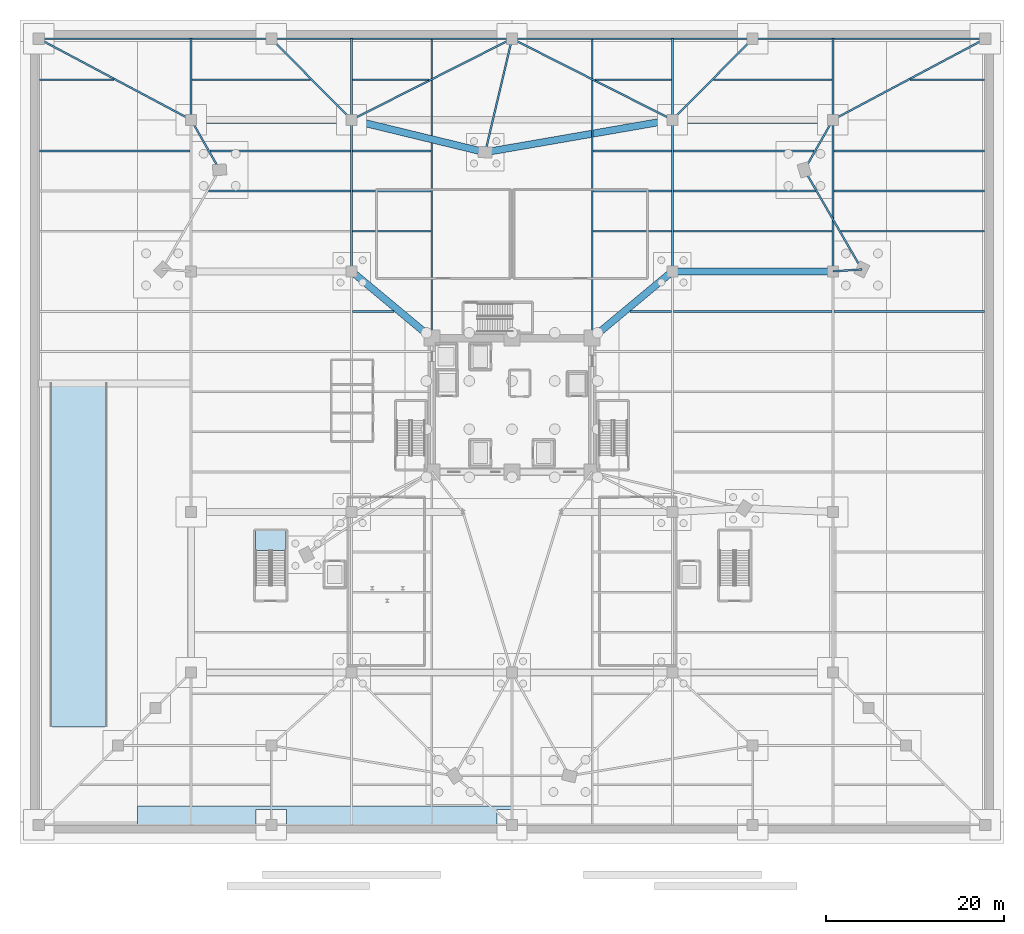
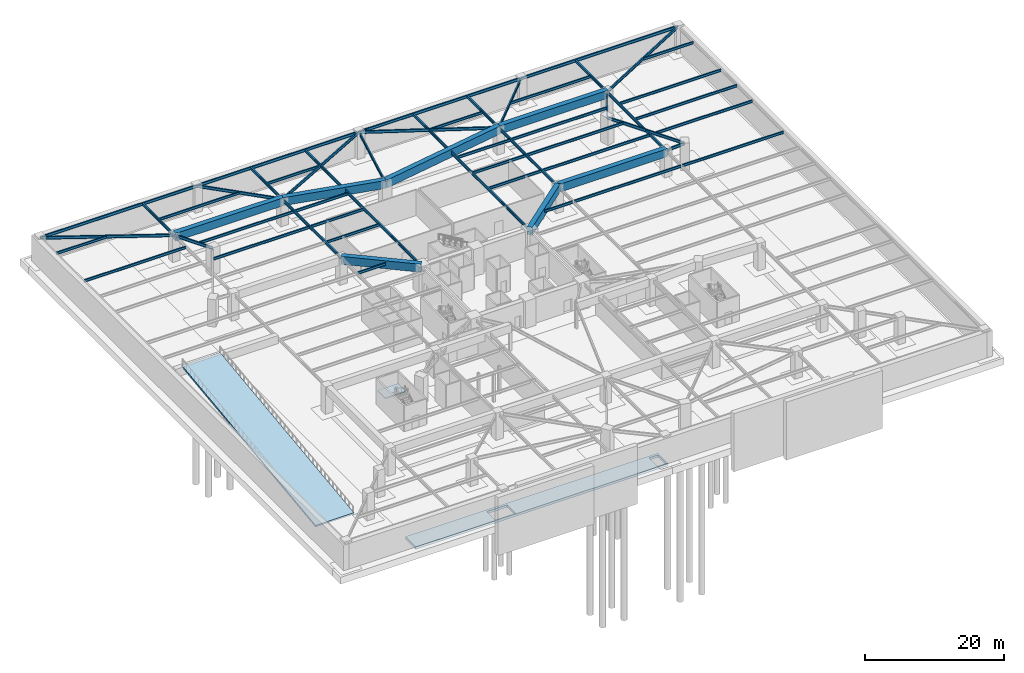
# One storey, part 6 of 19: 56 beams, 3 slabs, 1 element without a shape of its own.
"""IFC4 building model written with IfcOpenShell, lengths in metres."""

import ifcopenshell
import ifcopenshell.guid

model = None  # the IFC model being written
_history = None  # IfcOwnerHistory: only IFC2X3 demands one
_inside = {}  # id of a spatial element -> (the spatial element, [elements in it])
_under = {}  # id of a project, library or spatial element -> (it, [spatial elements below it])
_declared = {}  # id of a project -> (the project, [libraries it declares])
_typed = {}  # id of a type object -> (the type object, [elements of that type])
_made_of = {}  # id of a material, layer set ... -> (it, [elements and type objects made of it])


def new_model(schema):
    """Start an empty IFC model of exactly this schema.

    Asked for "IFC4X3", IfcOpenShell would pick the latest addendum, in which some entities
    have other attributes; the version numbers below select the first issue.
    IFC2X3 requires an IfcOwnerHistory on every rooted entity: one is made here for all.
    """
    global model, _history
    if schema == "IFC4X3":
        model = ifcopenshell.file(schema_version=(4, 3, 0, 0))
    else:
        model = ifcopenshell.file(schema=schema)
    _inside.clear()
    _under.clear()
    _declared.clear()
    _typed.clear()
    _made_of.clear()
    _history = None
    if model.schema == "IFC2X3":
        org = make("IfcOrganization", Name="unknown")
        user = make(
            "IfcPersonAndOrganization",
            ThePerson=make("IfcPerson", FamilyName="unknown"),
            TheOrganization=org,
        )
        app = make(
            "IfcApplication",
            ApplicationDeveloper=org,
            Version="unknown",
            ApplicationFullName="unknown",
            ApplicationIdentifier="unknown",
        )
        _history = make(
            "IfcOwnerHistory",
            OwningUser=user,
            OwningApplication=app,
            ChangeAction="ADDED",
            CreationDate=0,
        )
    return model


def make(cls, **values):
    """One entity of the class cls with the attributes given. An attribute that is None is left unset."""
    return model.create_entity(
        cls, **{name: value for name, value in values.items() if value is not None}
    )


def rooted(cls, **values):
    """An entity with a GlobalId (a new one), such as an element, a storey or a relation."""
    return make(cls, GlobalId=ifcopenshell.guid.new(), OwnerHistory=_history, **values)


def si_unit(unit_type, name, prefix=None):
    """IfcSIUnit, for example si_unit("LENGTHUNIT", "METRE", prefix="MILLI")."""
    return make("IfcSIUnit", UnitType=unit_type, Prefix=prefix, Name=name)


def assignment(units):
    """IfcUnitAssignment: the units of a project."""
    return None if units is None else make("IfcUnitAssignment", Units=units)


def point(xyz):
    """IfcCartesianPoint."""
    return None if xyz is None else make("IfcCartesianPoint", Coordinates=xyz)


def direction(xyz):
    """IfcDirection."""
    return None if xyz is None else make("IfcDirection", DirectionRatios=xyz)


def frame(location, z_axis=None, x_axis=None):
    """IfcAxis2Placement3D, a coordinate frame: its origin and axes. An axis left out is left unset."""
    return make(
        "IfcAxis2Placement3D",
        Location=point(location),
        Axis=direction(z_axis),
        RefDirection=direction(x_axis),
    )


def frame_2d(location, x_axis=None):
    """IfcAxis2Placement2D, a coordinate frame in the plane: its origin and x axis."""
    return make(
        "IfcAxis2Placement2D", Location=point(location), RefDirection=direction(x_axis)
    )


def origin():
    """The frame at (0, 0, 0) with its axes left unset."""
    return frame((0.0, 0.0, 0.0))


def origin_2d():
    """The frame at (0, 0) in the plane with its x axis left unset."""
    return frame_2d((0.0, 0.0))


def place(relative_to, where):
    """IfcLocalPlacement: puts the frame where relative to a parent placement (None: the world)."""
    return make(
        "IfcLocalPlacement", PlacementRelTo=relative_to, RelativePlacement=where
    )


def context(
    kind, dimensions, precision=None, world=None, true_north=None, identifier=None
):
    """IfcGeometricRepresentationContext, for example the 3D "Model" context."""
    return make(
        "IfcGeometricRepresentationContext",
        ContextIdentifier=identifier,
        ContextType=kind,
        CoordinateSpaceDimension=dimensions,
        Precision=precision,
        WorldCoordinateSystem=world,
        TrueNorth=true_north,
    )


def subcontext(parent, identifier, kind, view, scale=None):
    """IfcGeometricRepresentationSubContext, for example "Body" below "Model"."""
    return make(
        "IfcGeometricRepresentationSubContext",
        ContextIdentifier=identifier,
        ContextType=kind,
        ParentContext=parent,
        TargetScale=scale,
        TargetView=view,
    )


def project(units=None, contexts=None):
    """IfcProject with its units and contexts."""
    return rooted(
        "IfcProject",
        Name="project",
        RepresentationContexts=contexts,
        UnitsInContext=assignment(units),
    )


def spatial(cls, under=None, at=None, **own):
    """A site, building, storey or space (cls), placed at a placement, below another one or the project."""
    s = rooted(cls, ObjectPlacement=at, **own)
    if under is not None:
        _under.setdefault(under.id(), (under, []))[1].append(s)
    return s


def polyline(points):
    """IfcPolyline through the points."""
    return make("IfcPolyline", Points=[point(p) for p in points])


def profile(cls, at=None, kind="AREA", **sizes):
    """A parametric profile (cls). Its sizes go by their IFC names, for example OverallWidth=200.0."""
    return make(cls, ProfileType=kind, Position=at, **sizes)


def rectangle(**sizes):
    """IfcRectangleProfileDef."""
    return profile("IfcRectangleProfileDef", **sizes)


def i_section(**sizes):
    """IfcIShapeProfileDef."""
    return profile("IfcIShapeProfileDef", **sizes)


def outline(outer, holes=None, kind="AREA"):
    """IfcArbitraryClosedProfileDef: a profile drawn as a closed curve; with holes, ...WithVoids."""
    if holes is None:
        return make("IfcArbitraryClosedProfileDef", ProfileType=kind, OuterCurve=outer)
    return make(
        "IfcArbitraryProfileDefWithVoids",
        ProfileType=kind,
        OuterCurve=outer,
        InnerCurves=holes,
    )


def extrude(swept, where, along, depth):
    """IfcExtrudedAreaSolid: the profile swept, set in the frame where, extruded along a direction by depth."""
    return make(
        "IfcExtrudedAreaSolid",
        SweptArea=swept,
        Position=where,
        ExtrudedDirection=direction(along),
        Depth=depth,
    )


def shape(context_of_items, identifier, shape_type, items):
    """IfcShapeRepresentation: the items that make up one representation, for example the "Body"."""
    return make(
        "IfcShapeRepresentation",
        ContextOfItems=context_of_items,
        RepresentationIdentifier=identifier,
        RepresentationType=shape_type,
        Items=items,
    )


def source(mapping_origin, context_of_items, identifier, shape_type, items):
    """IfcRepresentationMap: a shape defined once, which mapped items show again and again."""
    return make(
        "IfcRepresentationMap",
        MappingOrigin=mapping_origin,
        MappedRepresentation=shape(context_of_items, identifier, shape_type, items),
    )


def transform(
    local_origin,
    x_axis=None,
    y_axis=None,
    z_axis=None,
    scale=None,
    scale2=None,
    scale3=None,
    uniform=True,
):
    """IfcCartesianTransformationOperator3D, or its non-uniform kind. x_axis, y_axis, z_axis: its Axis1, 2, 3."""
    if uniform:
        return make(
            "IfcCartesianTransformationOperator3D",
            Axis1=direction(x_axis),
            Axis2=direction(y_axis),
            LocalOrigin=point(local_origin),
            Scale=scale,
            Axis3=direction(z_axis),
        )
    return make(
        "IfcCartesianTransformationOperator3DnonUniform",
        Axis1=direction(x_axis),
        Axis2=direction(y_axis),
        LocalOrigin=point(local_origin),
        Scale=scale,
        Axis3=direction(z_axis),
        Scale2=scale2,
        Scale3=scale3,
    )


def mapped(mapping_source, mapping_target):
    """IfcMappedItem: shows the shape of a source again, moved by a transform."""
    return make(
        "IfcMappedItem", MappingSource=mapping_source, MappingTarget=mapping_target
    )


def material(Name=None, Category=None):
    """IfcMaterial."""
    return make("IfcMaterial", Name=Name, Category=Category)


def layer(
    of_material, thickness, ventilated=None, Name=None, Category=None, Priority=None
):
    """IfcMaterialLayer: one layer of a wall or slab, of a material (None: an air gap)."""
    return make(
        "IfcMaterialLayer",
        Material=of_material,
        LayerThickness=thickness,
        IsVentilated=ventilated,
        Name=Name,
        Category=Category,
        Priority=Priority,
    )


def layer_set(layers, Name=None):
    """IfcMaterialLayerSet."""
    return make("IfcMaterialLayerSet", MaterialLayers=layers, LayerSetName=Name)


def material_profile(
    of_material, cross_section, Name=None, Category=None, Priority=None
):
    """IfcMaterialProfile: a cross section and its material."""
    return make(
        "IfcMaterialProfile",
        Name=Name,
        Material=of_material,
        Profile=cross_section,
        Priority=Priority,
        Category=Category,
    )


def profile_set(profiles, Name=None, composite=None):
    """IfcMaterialProfileSet."""
    return make(
        "IfcMaterialProfileSet",
        Name=Name,
        MaterialProfiles=profiles,
        CompositeProfile=composite,
    )


def made_of(thing, what):
    """Note that an element or type object is made of a material, layer set ...; save() writes the relation."""
    if what is not None:
        _made_of.setdefault(what.id(), (what, []))[1].append(thing)
    return thing


def type_object(cls, material=None, **own):
    """A type object (cls), such as IfcWallType, which elements share."""
    return made_of(rooted(cls, **own), material)


def element(
    cls,
    number,
    at=None,
    inside=None,
    cuts=None,
    type_object=None,
    material=None,
    context=None,
    identifier="Body",
    shape_type=None,
    held_by="IfcProductDefinitionShape",
    body=None,
    shapes=None,
    **own,
):
    """One element of the class cls, such as IfcWall. Its Tag is "e" and its number.

    at: its placement. inside: the storey or other place that contains it. cuts: it is an
    opening in that element (IfcRelVoidsElement). A single representation is given by context,
    identifier, shape_type and body (its items); several are given by shapes. held_by: the class
    of the entity that holds the representations. save() writes the other relations.
    """
    e = rooted(cls, Tag="e%d" % number, ObjectPlacement=at, **own)
    if body is not None:
        shapes = [shape(context, identifier, shape_type, body)]
    if shapes is not None:
        e.Representation = make(held_by, Representations=shapes)
    if inside is not None:
        _inside.setdefault(inside.id(), (inside, []))[1].append(e)
    if cuts is not None:
        rooted(
            "IfcRelVoidsElement", RelatingBuildingElement=cuts, RelatedOpeningElement=e
        )
    if type_object is not None:
        _typed.setdefault(type_object.id(), (type_object, []))[1].append(e)
    return made_of(e, material)


def aggregate(whole, parts):
    """IfcRelAggregates: a whole, such as a stair, and the parts it consists of."""
    return rooted("IfcRelAggregates", RelatingObject=whole, RelatedObjects=parts)


def save(model, path):
    """Write the relations noted so far, then the file.

    IfcRelAggregates (storeys below a building ...), IfcRelContainedInSpatialStructure (elements
    in a storey), IfcRelDefinesByType, IfcRelAssociatesMaterial and IfcRelDeclares: one each for
    every whole, place, type object, material and project.
    """
    for whole, parts in _under.values():
        aggregate(whole, parts)
    for where, things in _inside.values():
        rooted(
            "IfcRelContainedInSpatialStructure",
            RelatedElements=things,
            RelatingStructure=where,
        )
    for kind, things in _typed.values():
        rooted("IfcRelDefinesByType", RelatedObjects=things, RelatingType=kind)
    for what, things in _made_of.values():
        rooted("IfcRelAssociatesMaterial", RelatedObjects=things, RelatingMaterial=what)
    for by, libraries in _declared.values():
        rooted("IfcRelDeclares", RelatingContext=by, RelatedDefinitions=libraries)
    model.write(path)


model = new_model("IFC4")

# Units and contexts
model_context = context("Model", 3, precision=1e-05, world=origin(), true_north=direction((0.0, 1.0)))
body_context = subcontext(model_context, "Body", "Model", "MODEL_VIEW")
ifc_project = project(units=[si_unit("LENGTHUNIT", "METRE"), si_unit("AREAUNIT", "SQUARE_METRE"), si_unit("VOLUMEUNIT", "CUBIC_METRE"), si_unit("PLANEANGLEUNIT", "RADIAN"), si_unit("MASSUNIT", "GRAM", prefix="KILO")], contexts=[model_context])

# Site, building, storey
site_placement = place(None, origin())
site = spatial("IfcSite", under=ifc_project, at=site_placement, CompositionType="ELEMENT")
building_placement = place(site_placement, origin())
building = spatial("IfcBuilding", under=site, at=building_placement, Name="Liaohun Quay Tower", CompositionType="ELEMENT")
storey_placement = place(building_placement, frame((0.0, 0.0, -9.60009765625)))
storey = spatial("IfcBuildingStorey", under=building, at=storey_placement, Name="B2", CompositionType="ELEMENT", Elevation=-9.60009765625)

# Beams
ifc_material_1 = material(Name="Concrete C50", Category="concrete")
ifc_material_profile_1 = material_profile(ifc_material_1, rectangle(XDim=0.800048828125, YDim=1.39990234375, at=origin_2d()), Name="RC800x1400")
ifc_profile_set_1 = profile_set([ifc_material_profile_1], Name="Concrete C50")
beam_type_1 = type_object("IfcBeamType", Name="BM-GRD-1", PredefinedType="BEAM", material=ifc_profile_set_1)
shared_shape_1 = source(origin(), body_context, "Body", "SweptSolid", [
    extrude(rectangle(XDim=0.800048828125, YDim=1.39990234375, at=origin_2d()), origin(), (0.0, 0.0, 1.0), 18.0),
])
for number, where, z_axis, x_axis, name in (
    (1, (78.0, 69.0, 4.10009765625), (1.0, 0.0, 0.0), (0.0, 1.0, 0.0), "B2 Primary Grid Girder PG12-PG13"),
    (2, (24.0, 86.0, 4.10009765625), (1.0, 0.0, 0.0), (0.0, 1.0, 0.0), "B2 Primary Grid Girder PG14-PG15"),
    (3, (78.0, 86.0, 4.10009765625), (1.0, 0.0, 0.0), (0.0, 1.0, 0.0), "B2 Primary Grid Girder PG17-PG18"),
):
    element("IfcBeam", number, at=place(storey_placement, frame(where, z_axis=z_axis, x_axis=x_axis)), inside=storey, type_object=beam_type_1, Name=name, PredefinedType="BEAM", context=body_context, shape_type="MappedRepresentation", body=[
        mapped(shared_shape_1, transform((0.0, 0.0, 0.0), x_axis=(1.0, 0.0, 0.0), y_axis=(0.0, 1.0, 0.0), z_axis=(0.0, 0.0, 1.0), scale=1.0)),
    ])
shared_shape_2 = source(origin(), body_context, "Body", "SweptSolid", [
    extrude(rectangle(XDim=0.800048828125, YDim=1.39990234375, at=origin_2d()), origin(), (0.0, 0.0, 1.0), 11.71533203125),
])
for number, where, z_axis, x_axis, name in (
    (4, (42.0, 69.0, 4.10009765625), (0.768221279597, -0.640184399664, 0.0), (0.640184399664, 0.768221279597, 0.0), "B2 Primary Grid Girder PG11-CC6"),
    (5, (69.0, 61.5, 4.10009765625), (0.768221279597, 0.640184399664, 0.0), (-0.640184399664, 0.768221279597, 0.0), "B2 Primary Grid Girder CC4-PG12"),
):
    element("IfcBeam", number, at=place(storey_placement, frame(where, z_axis=z_axis, x_axis=x_axis)), inside=storey, type_object=beam_type_1, Name=name, PredefinedType="BEAM", context=body_context, shape_type="MappedRepresentation", body=[
        mapped(shared_shape_2, transform((0.0, 0.0, 0.0), x_axis=(1.0, 0.0, 0.0), y_axis=(0.0, 1.0, 0.0), z_axis=(0.0, 0.0, 1.0), scale=1.0)),
    ])
shared_shape_3 = source(origin(), body_context, "Body", "SweptSolid", [
    extrude(rectangle(XDim=0.800048828125, YDim=1.39990234375, at=origin_2d()), origin(), (0.0, 0.0, 1.0), 15.4306640625),
])
beam_1_placement = place(storey_placement, frame((42.0, 86.0, 4.10009765625), z_axis=(0.971780133719, -0.235888473032, 0.0), x_axis=(0.235888473032, 0.971780133719, 0.0)))
element("IfcBeam", 6, at=beam_1_placement, inside=storey, type_object=beam_type_1, Name="B2 Primary Grid Girder PG15-PC06", PredefinedType="BEAM", context=body_context, shape_type="MappedRepresentation", body=[
    mapped(shared_shape_3, transform((0.0, 0.0, 0.0), x_axis=(1.0, 0.0, 0.0), y_axis=(0.0, 1.0, 0.0), z_axis=(0.0, 0.0, 1.0), scale=1.0)),
])
shared_shape_4 = source(origin(), body_context, "Body", "SweptSolid", [
    extrude(rectangle(XDim=0.800048828125, YDim=1.39990234375, at=origin_2d()), origin(), (0.0, 0.0, 1.0), 21.31787109375),
])
beam_2_placement = place(storey_placement, frame((56.9951171875, 82.360107421875, 4.10009765625), z_axis=(0.985315548274, 0.170743287801, 0.0), x_axis=(-0.170743287801, 0.985315548274, 0.0)))
element("IfcBeam", 7, at=beam_2_placement, inside=storey, type_object=beam_type_1, Name="B2 Primary Grid Girder PC06-PG17", PredefinedType="BEAM", context=body_context, shape_type="MappedRepresentation", body=[
    mapped(shared_shape_4, transform((0.0, 0.0, 0.0), x_axis=(1.0, 0.0, 0.0), y_axis=(0.0, 1.0, 0.0), z_axis=(0.0, 0.0, 1.0), scale=1.0)),
])
ifc_material_2 = material(Name="Steel Q355D", Category="steel")
ifc_material_profile_2 = material_profile(ifc_material_2, i_section(OverallWidth=0.199951171875, OverallDepth=0.5, WebThickness=0.010009765625, FlangeThickness=0.01611328125, at=origin_2d()), Name="HN500x200x10x16")
ifc_profile_set_2 = profile_set([ifc_material_profile_2], Name="Steel Q355D")
beam_type_2 = type_object("IfcBeamType", Name="BM-POD-G3", PredefinedType="BEAM", material=ifc_profile_set_2)
shared_shape_5 = source(origin(), body_context, "Body", "SweptSolid", [
    extrude(i_section(OverallWidth=0.199951171875, OverallDepth=0.5, WebThickness=0.010009765625, FlangeThickness=0.01611328125, at=origin_2d()), origin(), (0.0, 0.0, 1.0), 27.0),
])
for number, where, z_axis, x_axis, name in (
    (8, (33.0, 95.10009765625, 4.25), (1.0, 0.0, 0.0), (0.0, 1.0, 0.0), "B2 Perimeter Tie Girder BP07-BP08"),
    (9, (60.0, 95.10009765625, 4.25), (1.0, 0.0, 0.0), (0.0, 1.0, 0.0), "B2 Perimeter Tie Girder BP08-BP09"),
):
    element("IfcBeam", number, at=place(storey_placement, frame(where, z_axis=z_axis, x_axis=x_axis)), inside=storey, type_object=beam_type_2, Name=name, PredefinedType="BEAM", context=body_context, shape_type="MappedRepresentation", body=[
        mapped(shared_shape_5, transform((0.0, 0.0, 0.0), x_axis=(1.0, 0.0, 0.0), y_axis=(0.0, 1.0, 0.0), z_axis=(0.0, 0.0, 1.0), scale=1.0)),
    ])
shared_shape_6 = source(origin(), body_context, "Body", "SweptSolid", [
    extrude(i_section(OverallWidth=0.199951171875, OverallDepth=0.5, WebThickness=0.010009765625, FlangeThickness=0.01611328125, at=origin_2d()), origin(), (0.0, 0.0, 1.0), 17.0),
])
for number, where, z_axis, x_axis, name in (
    (10, (42.0, 69.0, 4.25), (0.0, 1.0, 0.0), (-1.0, 0.0, 0.0), "B2 Primary Grid Girder PG11-PG15"),
    (11, (78.0, 69.0, 4.25), (0.0, 1.0, 0.0), (-1.0, 0.0, 0.0), "B2 Primary Grid Girder PG12-PG17"),
    (12, (96.0, 69.0, 4.25), (0.0, 1.0, 0.0), (-1.0, 0.0, 0.0), "B2 Primary Grid Girder PG13-PG18"),
):
    element("IfcBeam", number, at=place(storey_placement, frame(where, z_axis=z_axis, x_axis=x_axis)), inside=storey, type_object=beam_type_2, Name=name, PredefinedType="BEAM", context=body_context, shape_type="MappedRepresentation", body=[
        mapped(shared_shape_6, transform((0.0, 0.0, 0.0), x_axis=(1.0, 0.0, 0.0), y_axis=(0.0, 1.0, 0.0), z_axis=(0.0, 0.0, 1.0), scale=1.0)),
    ])
shared_shape_7 = source(origin(), body_context, "Body", "SweptSolid", [
    extrude(i_section(OverallWidth=0.199951171875, OverallDepth=0.5, WebThickness=0.010009765625, FlangeThickness=0.01611328125, at=origin_2d()), origin(), (0.0, 0.0, 1.0), 6.45703125),
])
beam_3_placement = place(storey_placement, frame((27.198974609375, 80.39111328125, 4.25), z_axis=(-0.49542619565, 0.868650035782, 0.0), x_axis=(-0.868650035782, -0.49542619565, 0.0)))
element("IfcBeam", 13, at=beam_3_placement, inside=storey, type_object=beam_type_2, Name="B2 Primary Grid Girder PC05-PG14", PredefinedType="BEAM", context=body_context, shape_type="MappedRepresentation", body=[
    mapped(shared_shape_7, transform((0.0, 0.0, 0.0), x_axis=(1.0, 0.0, 0.0), y_axis=(0.0, 1.0, 0.0), z_axis=(0.0, 0.0, 1.0), scale=1.0)),
])
shared_shape_8 = source(origin(), body_context, "Body", "SweptSolid", [
    extrude(i_section(OverallWidth=0.199951171875, OverallDepth=0.5, WebThickness=0.010009765625, FlangeThickness=0.01611328125, at=origin_2d()), origin(), (0.0, 0.0, 1.0), 6.462158203125),
])
beam_4_placement = place(storey_placement, frame((92.802978515625, 80.384033203125, 4.25), z_axis=(0.494726480393, 0.869048738333, 0.0), x_axis=(-0.869048738333, 0.494726480393, 0.0)))
element("IfcBeam", 14, at=beam_4_placement, inside=storey, type_object=beam_type_2, Name="B2 Primary Grid Girder PC07-PG18", PredefinedType="BEAM", context=body_context, shape_type="MappedRepresentation", body=[
    mapped(shared_shape_8, transform((0.0, 0.0, 0.0), x_axis=(1.0, 0.0, 0.0), y_axis=(0.0, 1.0, 0.0), z_axis=(0.0, 0.0, 1.0), scale=1.0)),
])
shared_shape_9 = source(origin(), body_context, "Body", "SweptSolid", [
    extrude(i_section(OverallWidth=0.199951171875, OverallDepth=0.5, WebThickness=0.010009765625, FlangeThickness=0.01611328125, at=origin_2d()), origin(), (0.0, 0.0, 1.0), 3.262939453125),
])
beam_5_placement = place(storey_placement, frame((99.256103515625, 69.2119140625, 4.25), z_axis=(-0.997888864182, -0.064944705264, 0.0), x_axis=(0.064944705264, -0.997888864182, 0.0)))
element("IfcBeam", 15, at=beam_5_placement, inside=storey, type_object=beam_type_2, Name="B2 Primary Grid Girder PC09-PG13", PredefinedType="BEAM", context=body_context, shape_type="MappedRepresentation", body=[
    mapped(shared_shape_9, transform((0.0, 0.0, 0.0), x_axis=(1.0, 0.0, 0.0), y_axis=(0.0, 1.0, 0.0), z_axis=(0.0, 0.0, 1.0), scale=1.0)),
])
shared_shape_10 = source(origin(), body_context, "Body", "SweptSolid", [
    extrude(i_section(OverallWidth=0.199951171875, OverallDepth=0.5, WebThickness=0.010009765625, FlangeThickness=0.01611328125, at=origin_2d()), origin(), (0.0, 0.0, 1.0), 12.90185546875),
])
beam_6_placement = place(storey_placement, frame((92.802978515625, 80.384033203125, 4.25), z_axis=(0.500168512593, -0.865928091131, 0.0), x_axis=(0.865928091131, 0.500168512593, 0.0)))
element("IfcBeam", 16, at=beam_6_placement, inside=storey, type_object=beam_type_2, Name="B2 Primary Grid Girder PC07-PC09", PredefinedType="BEAM", context=body_context, shape_type="MappedRepresentation", body=[
    mapped(shared_shape_10, transform((0.0, 0.0, 0.0), x_axis=(1.0, 0.0, 0.0), y_axis=(0.0, 1.0, 0.0), z_axis=(0.0, 0.0, 1.0), scale=1.0)),
])
shared_shape_11 = source(origin(), body_context, "Body", "SweptSolid", [
    extrude(i_section(OverallWidth=0.199951171875, OverallDepth=0.5, WebThickness=0.010009765625, FlangeThickness=0.01611328125, at=origin_2d()), origin(), (0.0, 0.0, 1.0), 26.10009765625),
])
for number, where, z_axis, x_axis, name in (
    (17, (6.89990234375, 95.10009765625, 4.25), (1.0, 0.0, 0.0), (0.0, 1.0, 0.0), "B2 Perimeter Tie Girder BP06-BP07"),
    (18, (87.0, 95.10009765625, 4.25), (1.0, 0.0, 0.0), (0.0, 1.0, 0.0), "B2 Perimeter Tie Girder BP09-BP10"),
):
    element("IfcBeam", number, at=place(storey_placement, frame(where, z_axis=z_axis, x_axis=x_axis)), inside=storey, type_object=beam_type_2, Name=name, PredefinedType="BEAM", context=body_context, shape_type="MappedRepresentation", body=[
        mapped(shared_shape_11, transform((0.0, 0.0, 0.0), x_axis=(1.0, 0.0, 0.0), y_axis=(0.0, 1.0, 0.0), z_axis=(0.0, 0.0, 1.0), scale=1.0)),
    ])
shared_shape_12 = source(origin(), body_context, "Body", "SweptSolid", [
    extrude(i_section(OverallWidth=0.199951171875, OverallDepth=0.5, WebThickness=0.010009765625, FlangeThickness=0.01611328125, at=origin_2d()), origin(), (0.0, 0.0, 1.0), 19.370849609375),
])
for number, where, z_axis, x_axis, name in (
    (19, (6.89990234375, 95.10009765625, 4.25), (0.882780313586, -0.469786034217, 0.0), (0.469786034217, 0.882780313586, 0.0), "B2 Perimeter Tie Girder BP06-PG14"),
    (20, (113.10009765625, 95.10009765625, 4.25), (-0.882780313586, -0.469786034217, 0.0), (0.469786034217, -0.882780313586, 0.0), "B2 Perimeter Tie Girder BP10-PG18"),
):
    element("IfcBeam", number, at=place(storey_placement, frame(where, z_axis=z_axis, x_axis=x_axis)), inside=storey, type_object=beam_type_2, Name=name, PredefinedType="BEAM", context=body_context, shape_type="MappedRepresentation", body=[
        mapped(shared_shape_12, transform((0.0, 0.0, 0.0), x_axis=(1.0, 0.0, 0.0), y_axis=(0.0, 1.0, 0.0), z_axis=(0.0, 0.0, 1.0), scale=1.0)),
    ])
shared_shape_13 = source(origin(), body_context, "Body", "SweptSolid", [
    extrude(i_section(OverallWidth=0.199951171875, OverallDepth=0.5, WebThickness=0.010009765625, FlangeThickness=0.01611328125, at=origin_2d()), origin(), (0.0, 0.0, 1.0), 12.798828125),
])
for number, where, z_axis, x_axis, name in (
    (21, (33.0, 95.10009765625, 4.25), (0.703185567055, -0.711006370074, 0.0), (0.711006370074, 0.703185567055, 0.0), "B2 Perimeter Tie Girder BP07-PG15"),
    (22, (87.0, 95.10009765625, 4.25), (-0.703185567055, -0.711006370074, 0.0), (0.711006370074, -0.703185567055, 0.0), "B2 Perimeter Tie Girder BP09-PG17"),
):
    element("IfcBeam", number, at=place(storey_placement, frame(where, z_axis=z_axis, x_axis=x_axis)), inside=storey, type_object=beam_type_2, Name=name, PredefinedType="BEAM", context=body_context, shape_type="MappedRepresentation", body=[
        mapped(shared_shape_13, transform((0.0, 0.0, 0.0), x_axis=(1.0, 0.0, 0.0), y_axis=(0.0, 1.0, 0.0), z_axis=(0.0, 0.0, 1.0), scale=1.0)),
    ])
shared_shape_14 = source(origin(), body_context, "Body", "SweptSolid", [
    extrude(i_section(OverallWidth=0.199951171875, OverallDepth=0.5, WebThickness=0.010009765625, FlangeThickness=0.01611328125, at=origin_2d()), origin(), (0.0, 0.0, 1.0), 13.089599609375),
])
beam_7_placement = place(storey_placement, frame((60.0, 95.10009765625, 4.25), z_axis=(-0.229563256171, -0.973293743644, 0.0), x_axis=(0.973293743644, -0.229563256171, 0.0)))
element("IfcBeam", 23, at=beam_7_placement, inside=storey, type_object=beam_type_2, Name="B2 Perimeter Tie Girder BP08-PC06", PredefinedType="BEAM", context=body_context, shape_type="MappedRepresentation", body=[
    mapped(shared_shape_14, transform((0.0, 0.0, 0.0), x_axis=(1.0, 0.0, 0.0), y_axis=(0.0, 1.0, 0.0), z_axis=(0.0, 0.0, 1.0), scale=1.0)),
])
shared_shape_15 = source(origin(), body_context, "Body", "SweptSolid", [
    extrude(i_section(OverallWidth=0.199951171875, OverallDepth=0.5, WebThickness=0.010009765625, FlangeThickness=0.01611328125, at=origin_2d()), origin(), (0.0, 0.0, 1.0), 20.169677734375),
])
for number, where, z_axis, x_axis, name in (
    (24, (60.0, 95.10009765625, 4.25), (-0.892433257544, -0.451179433074, 0.0), (0.451179433074, -0.892433257544, 0.0), "B2 Perimeter Tie Girder BP08-PG15"),
    (25, (60.0, 95.10009765625, 4.25), (0.892433257544, -0.451179433074, 0.0), (0.451179433074, 0.892433257544, 0.0), "B2 Perimeter Tie Girder BP08-PG17"),
):
    element("IfcBeam", number, at=place(storey_placement, frame(where, z_axis=z_axis, x_axis=x_axis)), inside=storey, type_object=beam_type_2, Name=name, PredefinedType="BEAM", context=body_context, shape_type="MappedRepresentation", body=[
        mapped(shared_shape_15, transform((0.0, 0.0, 0.0), x_axis=(1.0, 0.0, 0.0), y_axis=(0.0, 1.0, 0.0), z_axis=(0.0, 0.0, 1.0), scale=1.0)),
    ])
shared_shape_16 = source(origin(), body_context, "Body", "SweptSolid", [
    extrude(i_section(OverallWidth=0.199951171875, OverallDepth=0.5, WebThickness=0.010009765625, FlangeThickness=0.01611328125, at=origin_2d()), origin(), (0.0, 0.0, 1.0), 33.60009765625),
])
for number, where, z_axis, x_axis, name in (
    (26, (51.0, 61.5, 4.25), (0.0, 1.0, 0.0), (-1.0, 0.0, 0.0), "B2 Spine Girder X51-N"),
    (27, (69.0, 61.5, 4.25), (0.0, 1.0, 0.0), (-1.0, 0.0, 0.0), "B2 Spine Girder X69-N"),
):
    element("IfcBeam", number, at=place(storey_placement, frame(where, z_axis=z_axis, x_axis=x_axis)), inside=storey, type_object=beam_type_2, Name=name, PredefinedType="BEAM", context=body_context, shape_type="MappedRepresentation", body=[
        mapped(shared_shape_16, transform((0.0, 0.0, 0.0), x_axis=(1.0, 0.0, 0.0), y_axis=(0.0, 1.0, 0.0), z_axis=(0.0, 0.0, 1.0), scale=1.0)),
    ])
shared_shape_17 = source(origin(), body_context, "Body", "SweptSolid", [
    extrude(i_section(OverallWidth=0.199951171875, OverallDepth=0.5, WebThickness=0.010009765625, FlangeThickness=0.01611328125, at=origin_2d()), origin(), (0.0, 0.0, 1.0), 9.10009765625),
])
for number, where, z_axis, x_axis, name in (
    (28, (24.0, 86.0, 4.25), (0.0, 1.0, 0.0), (-1.0, 0.0, 0.0), "B2 North Apron Spine Girder X24"),
    (29, (42.0, 86.0, 4.25), (0.0, 1.0, 0.0), (-1.0, 0.0, 0.0), "B2 North Apron Spine Girder X42"),
    (30, (78.0, 86.0, 4.25), (0.0, 1.0, 0.0), (-1.0, 0.0, 0.0), "B2 North Apron Spine Girder X78"),
    (31, (96.0, 86.0, 4.25), (0.0, 1.0, 0.0), (-1.0, 0.0, 0.0), "B2 North Apron Spine Girder X96"),
):
    element("IfcBeam", number, at=place(storey_placement, frame(where, z_axis=z_axis, x_axis=x_axis)), inside=storey, type_object=beam_type_2, Name=name, PredefinedType="BEAM", context=body_context, shape_type="MappedRepresentation", body=[
        mapped(shared_shape_17, transform((0.0, 0.0, 0.0), x_axis=(1.0, 0.0, 0.0), y_axis=(0.0, 1.0, 0.0), z_axis=(0.0, 0.0, 1.0), scale=1.0)),
    ])
ifc_material_profile_3 = material_profile(ifc_material_2, i_section(OverallWidth=0.199951171875, OverallDepth=0.449951171875, WebThickness=0.009033203125, FlangeThickness=0.013916015625, at=origin_2d()), Name="HN450x200x9x14")
ifc_profile_set_3 = profile_set([ifc_material_profile_3], Name="Steel Q355D")
beam_type_3 = type_object("IfcBeamType", Name="BM-SEC-J1", PredefinedType="JOIST", material=ifc_profile_set_3)
shared_shape_18 = source(origin(), body_context, "Body", "SweptSolid", [
    extrude(i_section(OverallWidth=0.199951171875, OverallDepth=0.449951171875, WebThickness=0.009033203125, FlangeThickness=0.013916015625, at=origin_2d()), origin(), (0.0, 0.0, 1.0), 16.89990234375),
])
for number, where, z_axis, x_axis, name in (
    (32, (7.0, 82.5, 4.275146484375), (1.0, 0.0, 0.0), (0.0, 1.0, 0.0), "B2 Composite Floor Joist SJ-12"),
    (33, (96.10009765625, 64.5, 4.275146484375), (1.0, 0.0, 0.0), (0.0, 1.0, 0.0), "B2 Composite Floor Joist SJ-79"),
    (34, (96.10009765625, 78.0, 4.275146484375), (1.0, 0.0, 0.0), (0.0, 1.0, 0.0), "B2 Composite Floor Joist SJ-81"),
    (35, (96.10009765625, 82.5, 4.275146484375), (1.0, 0.0, 0.0), (0.0, 1.0, 0.0), "B2 Composite Floor Joist SJ-82"),
):
    element("IfcBeam", number, at=place(storey_placement, frame(where, z_axis=z_axis, x_axis=x_axis)), inside=storey, type_object=beam_type_3, Name=name, PredefinedType="JOIST", context=body_context, shape_type="MappedRepresentation", body=[
        mapped(shared_shape_18, transform((0.0, 0.0, 0.0), x_axis=(1.0, 0.0, 0.0), y_axis=(0.0, 1.0, 0.0), z_axis=(0.0, 0.0, 1.0), scale=1.0)),
    ])
shared_shape_19 = source(origin(), body_context, "Body", "SweptSolid", [
    extrude(i_section(OverallWidth=0.199951171875, OverallDepth=0.449951171875, WebThickness=0.009033203125, FlangeThickness=0.013916015625, at=origin_2d()), origin(), (0.0, 0.0, 1.0), 16.10498046875),
])
beam_8_placement = place(storey_placement, frame((96.89501953125, 73.5, 4.275146484375), z_axis=(1.0, 0.0, 0.0), x_axis=(0.0, 1.0, 0.0)))
element("IfcBeam", 36, at=beam_8_placement, inside=storey, type_object=beam_type_3, Name="B2 Composite Floor Joist SJ-80", PredefinedType="JOIST", context=body_context, shape_type="MappedRepresentation", body=[
    mapped(shared_shape_19, transform((0.0, 0.0, 0.0), x_axis=(1.0, 0.0, 0.0), y_axis=(0.0, 1.0, 0.0), z_axis=(0.0, 0.0, 1.0), scale=1.0)),
])
shared_shape_20 = source(origin(), body_context, "Body", "SweptSolid", [
    extrude(i_section(OverallWidth=0.199951171875, OverallDepth=0.449951171875, WebThickness=0.009033203125, FlangeThickness=0.013916015625, at=origin_2d()), origin(), (0.0, 0.0, 1.0), 8.3310546875),
])
for number, where, z_axis, x_axis, name in (
    (37, (7.0, 90.5, 4.275146484375), (1.0, 0.0, 0.0), (0.0, 1.0, 0.0), "B2 Composite Floor Joist SJ-13"),
    (38, (104.6689453125, 90.5, 4.275146484375), (1.0, 0.0, 0.0), (0.0, 1.0, 0.0), "B2 Composite Floor Joist SJ-83"),
):
    element("IfcBeam", number, at=place(storey_placement, frame(where, z_axis=z_axis, x_axis=x_axis)), inside=storey, type_object=beam_type_3, Name=name, PredefinedType="JOIST", context=body_context, shape_type="MappedRepresentation", body=[
        mapped(shared_shape_20, transform((0.0, 0.0, 0.0), x_axis=(1.0, 0.0, 0.0), y_axis=(0.0, 1.0, 0.0), z_axis=(0.0, 0.0, 1.0), scale=1.0)),
    ])
shared_shape_21 = source(origin(), body_context, "Body", "SweptSolid", [
    extrude(i_section(OverallWidth=0.199951171875, OverallDepth=0.449951171875, WebThickness=0.009033203125, FlangeThickness=0.013916015625, at=origin_2d()), origin(), (0.0, 0.0, 1.0), 8.7998046875),
])
for number, where, z_axis, x_axis, name in (
    (39, (42.10009765625, 73.5, 4.275146484375), (1.0, 0.0, 0.0), (0.0, 1.0, 0.0), "B2 Composite Floor Joist SJ-38"),
    (40, (42.10009765625, 78.0, 4.275146484375), (1.0, 0.0, 0.0), (0.0, 1.0, 0.0), "B2 Composite Floor Joist SJ-39"),
    (41, (42.10009765625, 82.5, 4.275146484375), (1.0, 0.0, 0.0), (0.0, 1.0, 0.0), "B2 Composite Floor Joist SJ-40"),
    (42, (69.10009765625, 73.5, 4.275146484375), (1.0, 0.0, 0.0), (0.0, 1.0, 0.0), "B2 Composite Floor Joist SJ-52"),
    (43, (69.10009765625, 78.0, 4.275146484375), (1.0, 0.0, 0.0), (0.0, 1.0, 0.0), "B2 Composite Floor Joist SJ-53"),
    (44, (69.10009765625, 82.5, 4.275146484375), (1.0, 0.0, 0.0), (0.0, 1.0, 0.0), "B2 Composite Floor Joist SJ-54"),
):
    element("IfcBeam", number, at=place(storey_placement, frame(where, z_axis=z_axis, x_axis=x_axis)), inside=storey, type_object=beam_type_3, Name=name, PredefinedType="JOIST", context=body_context, shape_type="MappedRepresentation", body=[
        mapped(shared_shape_21, transform((0.0, 0.0, 0.0), x_axis=(1.0, 0.0, 0.0), y_axis=(0.0, 1.0, 0.0), z_axis=(0.0, 0.0, 1.0), scale=1.0)),
    ])
shared_shape_22 = source(origin(), body_context, "Body", "SweptSolid", [
    extrude(i_section(OverallWidth=0.199951171875, OverallDepth=0.449951171875, WebThickness=0.009033203125, FlangeThickness=0.013916015625, at=origin_2d()), origin(), (0.0, 0.0, 1.0), 17.7998046875),
])
for number, where, z_axis, x_axis, name in (
    (45, (78.10009765625, 64.5, 4.275146484375), (1.0, 0.0, 0.0), (0.0, 1.0, 0.0), "B2 Composite Floor Joist SJ-65"),
    (46, (78.10009765625, 73.5, 4.275146484375), (1.0, 0.0, 0.0), (0.0, 1.0, 0.0), "B2 Composite Floor Joist SJ-66"),
):
    element("IfcBeam", number, at=place(storey_placement, frame(where, z_axis=z_axis, x_axis=x_axis)), inside=storey, type_object=beam_type_3, Name=name, PredefinedType="JOIST", context=body_context, shape_type="MappedRepresentation", body=[
        mapped(shared_shape_22, transform((0.0, 0.0, 0.0), x_axis=(1.0, 0.0, 0.0), y_axis=(0.0, 1.0, 0.0), z_axis=(0.0, 0.0, 1.0), scale=1.0)),
    ])
shared_shape_23 = source(origin(), body_context, "Body", "SweptSolid", [
    extrude(i_section(OverallWidth=0.199951171875, OverallDepth=0.449951171875, WebThickness=0.009033203125, FlangeThickness=0.013916015625, at=origin_2d()), origin(), (0.0, 0.0, 1.0), 15.9658203125),
])
beam_9_placement = place(storey_placement, frame((25.93408203125, 78.0, 4.275146484375), z_axis=(1.0, 0.0, 0.0), x_axis=(0.0, 1.0, 0.0)))
element("IfcBeam", 47, at=beam_9_placement, inside=storey, type_object=beam_type_3, Name="B2 Composite Floor Joist SJ-25", PredefinedType="JOIST", context=body_context, shape_type="MappedRepresentation", body=[
    mapped(shared_shape_23, transform((0.0, 0.0, 0.0), x_axis=(1.0, 0.0, 0.0), y_axis=(0.0, 1.0, 0.0), z_axis=(0.0, 0.0, 1.0), scale=1.0)),
])
shared_shape_24 = source(origin(), body_context, "Body", "SweptSolid", [
    extrude(i_section(OverallWidth=0.199951171875, OverallDepth=0.449951171875, WebThickness=0.009033203125, FlangeThickness=0.013916015625, at=origin_2d()), origin(), (0.0, 0.0, 1.0), 15.788818359375),
])
beam_10_placement = place(storey_placement, frame((26.111083984375, 82.5, 4.275146484375), z_axis=(1.0, 0.0, 0.0), x_axis=(0.0, 1.0, 0.0)))
element("IfcBeam", 48, at=beam_10_placement, inside=storey, type_object=beam_type_3, Name="B2 Composite Floor Joist SJ-26", PredefinedType="JOIST", context=body_context, shape_type="MappedRepresentation", body=[
    mapped(shared_shape_24, transform((0.0, 0.0, 0.0), x_axis=(1.0, 0.0, 0.0), y_axis=(0.0, 1.0, 0.0), z_axis=(0.0, 0.0, 1.0), scale=1.0)),
])
shared_shape_25 = source(origin(), body_context, "Body", "SweptSolid", [
    extrude(i_section(OverallWidth=0.199951171875, OverallDepth=0.449951171875, WebThickness=0.009033203125, FlangeThickness=0.013916015625, at=origin_2d()), origin(), (0.0, 0.0, 1.0), 13.308837890625),
])
for number, where, z_axis, x_axis, name in (
    (49, (24.10009765625, 90.5, 4.275146484375), (1.0, 0.0, 0.0), (0.0, 1.0, 0.0), "B2 Composite Floor Joist SJ-27"),
    (50, (82.591064453125, 90.5, 4.275146484375), (1.0, 0.0, 0.0), (0.0, 1.0, 0.0), "B2 Composite Floor Joist SJ-69"),
):
    element("IfcBeam", number, at=place(storey_placement, frame(where, z_axis=z_axis, x_axis=x_axis)), inside=storey, type_object=beam_type_3, Name=name, PredefinedType="JOIST", context=body_context, shape_type="MappedRepresentation", body=[
        mapped(shared_shape_25, transform((0.0, 0.0, 0.0), x_axis=(1.0, 0.0, 0.0), y_axis=(0.0, 1.0, 0.0), z_axis=(0.0, 0.0, 1.0), scale=1.0)),
    ])
shared_shape_26 = source(origin(), body_context, "Body", "SweptSolid", [
    extrude(i_section(OverallWidth=0.199951171875, OverallDepth=0.449951171875, WebThickness=0.009033203125, FlangeThickness=0.013916015625, at=origin_2d()), origin(), (0.0, 0.0, 1.0), 4.6748046875),
])
for number, where, z_axis, x_axis, name in (
    (51, (42.10009765625, 64.5, 4.275146484375), (1.0, 0.0, 0.0), (0.0, 1.0, 0.0), "B2 Composite Floor Joist SJ-37"),
    (52, (73.22509765625, 64.5, 4.275146484375), (1.0, 0.0, 0.0), (0.0, 1.0, 0.0), "B2 Composite Floor Joist SJ-51"),
):
    element("IfcBeam", number, at=place(storey_placement, frame(where, z_axis=z_axis, x_axis=x_axis)), inside=storey, type_object=beam_type_3, Name=name, PredefinedType="JOIST", context=body_context, shape_type="MappedRepresentation", body=[
        mapped(shared_shape_26, transform((0.0, 0.0, 0.0), x_axis=(1.0, 0.0, 0.0), y_axis=(0.0, 1.0, 0.0), z_axis=(0.0, 0.0, 1.0), scale=1.0)),
    ])
shared_shape_27 = source(origin(), body_context, "Body", "SweptSolid", [
    extrude(i_section(OverallWidth=0.199951171875, OverallDepth=0.449951171875, WebThickness=0.009033203125, FlangeThickness=0.013916015625, at=origin_2d()), origin(), (0.0, 0.0, 1.0), 8.578857421875),
])
for number, where, z_axis, x_axis, name in (
    (53, (42.10009765625, 90.5, 4.275146484375), (1.0, 0.0, 0.0), (0.0, 1.0, 0.0), "B2 Composite Floor Joist SJ-41"),
    (54, (69.321044921875, 90.5, 4.275146484375), (1.0, 0.0, 0.0), (0.0, 1.0, 0.0), "B2 Composite Floor Joist SJ-55"),
):
    element("IfcBeam", number, at=place(storey_placement, frame(where, z_axis=z_axis, x_axis=x_axis)), inside=storey, type_object=beam_type_3, Name=name, PredefinedType="JOIST", context=body_context, shape_type="MappedRepresentation", body=[
        mapped(shared_shape_27, transform((0.0, 0.0, 0.0), x_axis=(1.0, 0.0, 0.0), y_axis=(0.0, 1.0, 0.0), z_axis=(0.0, 0.0, 1.0), scale=1.0)),
    ])
shared_shape_28 = source(origin(), body_context, "Body", "SweptSolid", [
    extrude(i_section(OverallWidth=0.199951171875, OverallDepth=0.449951171875, WebThickness=0.009033203125, FlangeThickness=0.013916015625, at=origin_2d()), origin(), (0.0, 0.0, 1.0), 15.96484375),
])
beam_11_placement = place(storey_placement, frame((78.10009765625, 78.0, 4.275146484375), z_axis=(1.0, 0.0, 0.0), x_axis=(0.0, 1.0, 0.0)))
element("IfcBeam", 55, at=beam_11_placement, inside=storey, type_object=beam_type_3, Name="B2 Composite Floor Joist SJ-67", PredefinedType="JOIST", context=body_context, shape_type="MappedRepresentation", body=[
    mapped(shared_shape_28, transform((0.0, 0.0, 0.0), x_axis=(1.0, 0.0, 0.0), y_axis=(0.0, 1.0, 0.0), z_axis=(0.0, 0.0, 1.0), scale=1.0)),
])
shared_shape_29 = source(origin(), body_context, "Body", "SweptSolid", [
    extrude(i_section(OverallWidth=0.199951171875, OverallDepth=0.449951171875, WebThickness=0.009033203125, FlangeThickness=0.013916015625, at=origin_2d()), origin(), (0.0, 0.0, 1.0), 15.7919921875),
])
beam_12_placement = place(storey_placement, frame((78.10009765625, 82.5, 4.275146484375), z_axis=(1.0, 0.0, 0.0), x_axis=(0.0, 1.0, 0.0)))
element("IfcBeam", 56, at=beam_12_placement, inside=storey, type_object=beam_type_3, Name="B2 Composite Floor Joist SJ-68", PredefinedType="JOIST", context=body_context, shape_type="MappedRepresentation", body=[
    mapped(shared_shape_29, transform((0.0, 0.0, 0.0), x_axis=(1.0, 0.0, 0.0), y_axis=(0.0, 1.0, 0.0), z_axis=(0.0, 0.0, 1.0), scale=1.0)),
])

# Slab
ifc_material_3 = material(Name="Concrete C45", Category="concrete")
ifc_layer_1 = layer(ifc_material_3, 0.419921875, Name="Concrete C45", Category="concrete")
ifc_layer_set_1 = layer_set([ifc_layer_1], Name="Concrete C45")
slab_type_1 = type_object("IfcSlabType", Name="SLB-BAS-420", PredefinedType="BASESLAB", material=ifc_layer_set_1)
slab_1_placement = place(storey_placement, frame((0.0, 0.0, -0.419921875)))
element("IfcSlab", 57, at=slab_1_placement, inside=storey, type_object=slab_type_1, Name="B2 Waterproof Basement Base Slab S1", PredefinedType="BASESLAB", context=body_context, shape_type="SweptSolid", body=[
    extrude(outline(polyline([(18.0, 6.0), (60.0, 6.0), (60.0, 9.0), (18.0, 9.0), (18.0, 6.0)]), holes=[polyline([(31.300048828125, 8.60009765625), (31.300048828125, 6.179931640625), (34.699951171875, 6.179931640625), (34.699951171875, 8.60009765625), (31.300048828125, 8.60009765625)]), polyline([(58.300048828125, 8.60009765625), (58.300048828125, 6.179931640625), (59.820068359375, 6.179931640625), (59.820068359375, 8.60009765625), (58.300048828125, 8.60009765625)])]), origin(), (0.0, 0.0, 1.0), 0.419921875),
])

# Stair, slab
stair_type = type_object("IfcStairType", Name="STR-POD-EXIT", PredefinedType="TWO_STRAIGHT_RUN_STAIR", material=ifc_material_3)
stair_placement = place(storey_placement, origin())
stair = element("IfcStair", 58, at=stair_placement, inside=storey, type_object=stair_type, Name="B2 Podium Smokeproof Exit Stair ST-P1", PredefinedType="TWO_STRAIGHT_RUN_STAIR")
ifc_layer_2 = layer(ifc_material_3, 0.199951171875, Name="Concrete C45", Category="concrete")
ifc_layer_set_2 = layer_set([ifc_layer_2], Name="Concrete C45")
slab_type_2 = type_object("IfcSlabType", Name="SLB-LND-200", PredefinedType="LANDING", material=ifc_layer_set_2)
slab_2_placement = place(storey_placement, frame((0.0, 0.0, 2.2001953125)))
slab_2 = element("IfcSlab", 59, at=slab_2_placement, type_object=slab_type_2, Name="ST-P1 landing 1", PredefinedType="LANDING", context=body_context, shape_type="SweptSolid", body=[
    extrude(outline(polyline([(34.639892578125, 37.669921875), (34.639892578125, 39.89990234375), (31.199951171875, 39.89990234375), (31.199951171875, 37.669921875), (34.639892578125, 37.669921875)])), origin(), (0.0, 0.0, 1.0), 0.199951171875),
])
aggregate(stair, [slab_2])

# Slab
ifc_layer_3 = layer(ifc_material_3, 0.300048828125, Name="Concrete C45", Category="concrete")
ifc_layer_set_3 = layer_set([ifc_layer_3], Name="Concrete C45")
slab_type_3 = type_object("IfcSlabType", Name="SLB-RMP-300", PredefinedType="FLOOR", material=ifc_layer_set_3)
slab_3_placement = place(storey_placement, frame((8.199951171875, 17.89990234375, 0.0), z_axis=(0.0, -0.123402807958, 0.992356663195), x_axis=(1.0, 0.0, 0.0)))
element("IfcSlab", 60, at=slab_3_placement, inside=storey, type_object=slab_type_3, Name="B2-B1 Structural Vehicle Ramp Slab VR-1", PredefinedType="FLOOR", context=body_context, shape_type="SweptSolid", body=[
    extrude(outline(polyline([(0.0, 0.0), (6.400146484375, 0.0), (6.400146484375, 38.89740361289454), (0.0, 38.89740361289454), (0.0, 0.0)])), origin(), (0.0, 0.0, -1.0), 0.300048828125),
])

save(model, "model.ifc")
